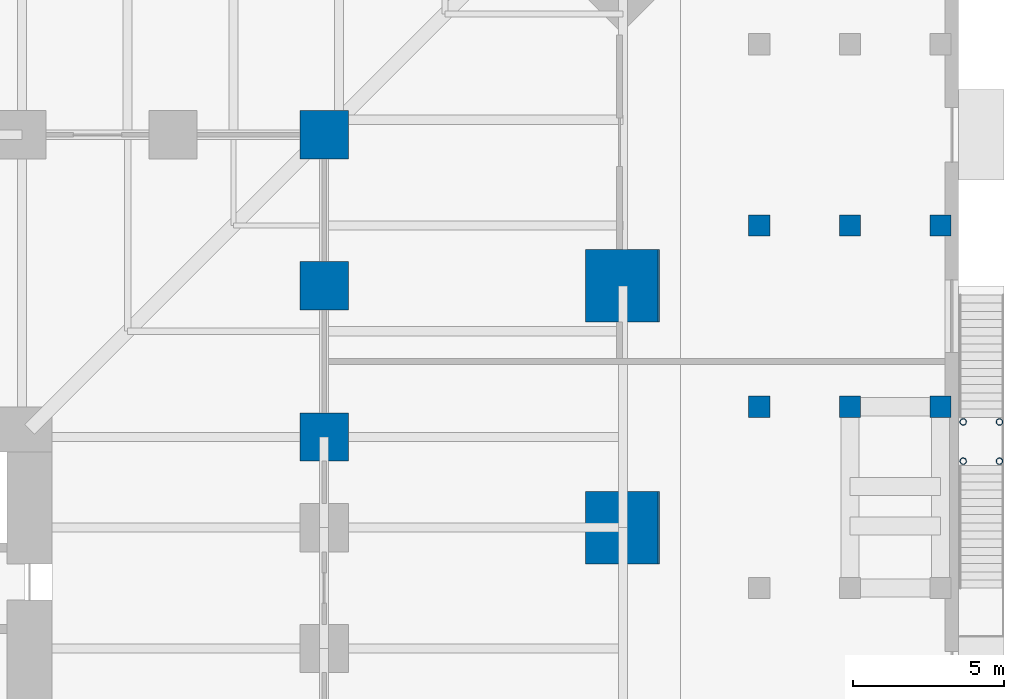
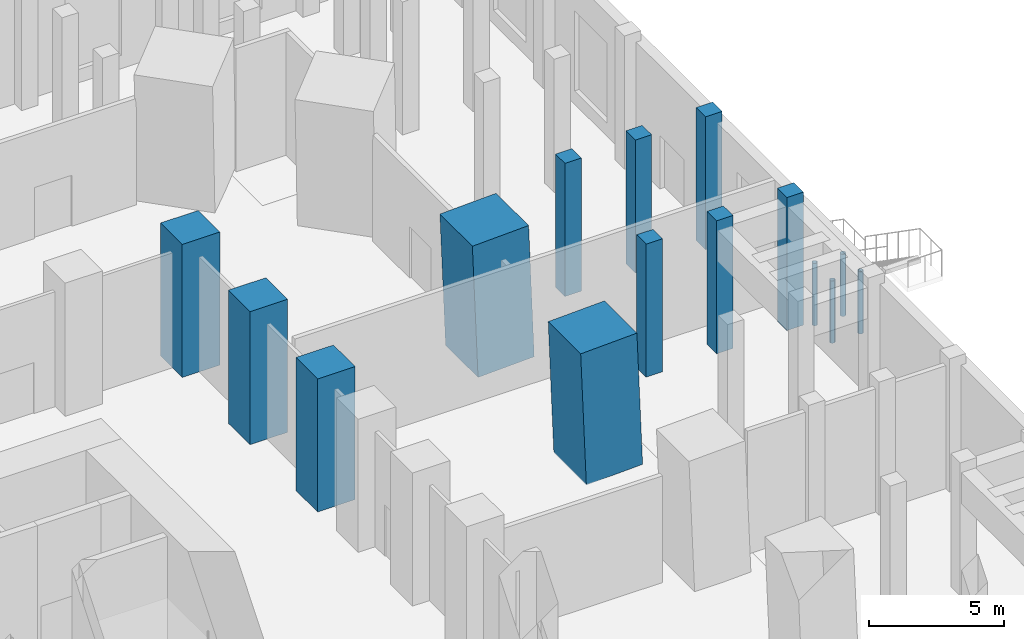
# One storey, part 7 of 20: 15 columns.
"""IFC4 building model written with IfcOpenShell, lengths in metres."""

from ifc_helpers import new_model, si_unit, direction, frame, origin, origin_2d, place, context, subcontext, project, spatial, rectangle, hollow_circle, extrude, material, material_profile, profile_set, type_object, element, save


model = new_model("IFC4")

# Units and contexts
model_context = context("Model", 3, precision=1e-05, world=origin(), true_north=direction((0.0, 1.0)))
body_context = subcontext(model_context, "Body", "Model", "MODEL_VIEW")
ifc_project = project(units=[si_unit("LENGTHUNIT", "METRE"), si_unit("AREAUNIT", "SQUARE_METRE"), si_unit("VOLUMEUNIT", "CUBIC_METRE"), si_unit("PLANEANGLEUNIT", "RADIAN"), si_unit("MASSUNIT", "GRAM", prefix="KILO")], contexts=[model_context])

# Site, building, storey
site_placement = place(None, origin())
site = spatial("IfcSite", under=ifc_project, at=site_placement, CompositionType="ELEMENT")
building_placement = place(site_placement, origin())
building = spatial("IfcBuilding", under=site, at=building_placement, Name="Peilmerk Tower", CompositionType="ELEMENT")
storey_placement = place(building_placement, origin())
storey = spatial("IfcBuildingStorey", under=building, at=storey_placement, Name="L00", CompositionType="ELEMENT", Elevation=0.0)

# Columns
ifc_material_1 = material(Name="Concrete C55/67", Category="concrete")
ifc_material_profile_1 = material_profile(ifc_material_1, rectangle(XDim=0.699951171875, YDim=0.699951171875, at=origin_2d()), Name="RC 700x700")
ifc_profile_set_1 = profile_set([ifc_material_profile_1], Name="Concrete C55/67")
column_type_1 = type_object("IfcColumnType", Name="PC1 700x700 podium column", PredefinedType="COLUMN", material=ifc_profile_set_1)
for number, where, z_axis, x_axis, name in (
    (1, (35.39990234375, 12.0, 0.0), (0.0, 0.0, 1.0), (1.0, 0.0, 0.0), "Podium column ring A L00"),
    (2, (35.39990234375, 18.0, 0.0), (0.0, 0.0, 1.0), (1.0, 0.0, 0.0), "Podium column ring A L00"),
    (3, (38.39990234375, 12.0, 0.0), (0.0, 0.0, 1.0), (1.0, 0.0, 0.0), "Podium column ring B L00"),
    (4, (38.39990234375, 18.0, 0.0), (0.0, 0.0, 1.0), (1.0, 0.0, 0.0), "Podium column ring B L00"),
    (5, (41.39990234375, 12.0, 0.0), (0.0, 0.0, 1.0), (1.0, 0.0, 0.0), "Podium column ring C L00"),
    (6, (41.39990234375, 18.0, 0.0), (0.0, 0.0, 1.0), (1.0, 0.0, 0.0), "Podium column ring C L00"),
):
    element("IfcColumn", number, at=place(storey_placement, frame(where, z_axis=z_axis, x_axis=x_axis)), inside=storey, type_object=column_type_1, Name=name, PredefinedType="COLUMN", context=body_context, shape_type="SweptSolid", body=[
        extrude(rectangle(XDim=0.699951171875, YDim=0.699951171875, at=origin_2d()), origin(), (0.0, 0.0, 1.0), 6.0),
    ])
ifc_material_2 = material(Name="Concrete C90/105", Category="concrete")
ifc_material_profile_2 = material_profile(ifc_material_2, rectangle(XDim=2.39990234375, YDim=2.39990234375, at=origin_2d()), Name="RC 2400x2400")
ifc_profile_set_2 = profile_set([ifc_material_profile_2], Name="Concrete C90/105")
column_type_2 = type_object("IfcColumnType", Name="SC1 2400x2400 encased perimeter column", PredefinedType="COLUMN", material=ifc_profile_set_2)
for number, where, z_axis, x_axis, name in (
    (7, (30.896728515625, 8.0, 0.0), (-0.0402911495, 0.0, 0.999187981949), (0.0, -1.0, 0.0), "Perimeter column E+8 L00"),
    (8, (30.896728515625, 16.0, 0.0), (-0.0402911495, 0.0, 0.999187981949), (0.0, -1.0, 0.0), "Perimeter column E+16 L00"),
):
    element("IfcColumn", number, at=place(storey_placement, frame(where, z_axis=z_axis, x_axis=x_axis)), inside=storey, type_object=column_type_2, Name=name, PredefinedType="COLUMN", context=body_context, shape_type="SweptSolid", body=[
        extrude(rectangle(XDim=2.39990234375, YDim=2.39990234375, at=origin_2d()), origin(), (0.0, 0.0, 1.0), 6.0048828125),
    ])
ifc_material_3 = material(Name="Steel S355", Category="steel")
ifc_material_profile_3 = material_profile(ifc_material_3, hollow_circle(Radius=0.109619140625, WallThickness=0.012451171875, at=origin_2d()), Name="CHS 219.1x12.5")
ifc_profile_set_3 = profile_set([ifc_material_profile_3], Name="Steel S355")
column_type_3 = type_object("IfcColumnType", Name="SC12 CHS 219.1x12.5 external stair post", PredefinedType="COLUMN", material=ifc_profile_set_3)
for number, where, z_axis, x_axis, name in (
    (9, (42.14990234375, 10.199951171875, 0.0), (0.0, 0.0, 1.0), (1.0, 0.0, 0.0), "External stair 3 post L00"),
    (10, (43.35009765625, 10.199951171875, 0.0), (0.0, 0.0, 1.0), (1.0, 0.0, 0.0), "External stair 3 post L00"),
    (11, (42.14990234375, 11.5, 0.0), (0.0, 0.0, 1.0), (1.0, 0.0, 0.0), "External stair 3 post L00"),
    (12, (43.35009765625, 11.5, 0.0), (0.0, 0.0, 1.0), (1.0, 0.0, 0.0), "External stair 3 post L00"),
):
    element("IfcColumn", number, at=place(storey_placement, frame(where, z_axis=z_axis, x_axis=x_axis)), inside=storey, type_object=column_type_3, Name=name, PredefinedType="COLUMN", context=body_context, shape_type="SweptSolid", body=[
        extrude(hollow_circle(Radius=0.109619140625, WallThickness=0.012451171875, at=origin_2d()), origin(), (0.0, 0.0, 1.0), 2.800048828125),
    ])
ifc_material_profile_4 = material_profile(ifc_material_2, rectangle(XDim=1.60009765625, YDim=1.60009765625, at=origin_2d()), Name="RC 1600x1600")
ifc_profile_set_4 = profile_set([ifc_material_profile_4], Name="Concrete C90/105")
column_type_4 = type_object("IfcColumnType", Name="SC2 1600x1600 encased interior column", PredefinedType="COLUMN", material=ifc_profile_set_4)
for number, where, z_axis, x_axis, name in (
    (13, (21.0, 11.0, 0.0), (0.0, 0.0, 1.0), (1.0, 0.0, 0.0), "Interior column E+11 L00"),
    (14, (21.0, 16.0, 0.0), (0.0, 0.0, 1.0), (1.0, 0.0, 0.0), "Interior column E+16 L00"),
    (15, (21.0, 21.0, 0.0), (0.0, 0.0, 1.0), (1.0, 0.0, 0.0), "Interior column NE L00"),
):
    element("IfcColumn", number, at=place(storey_placement, frame(where, z_axis=z_axis, x_axis=x_axis)), inside=storey, type_object=column_type_4, Name=name, PredefinedType="COLUMN", context=body_context, shape_type="SweptSolid", body=[
        extrude(rectangle(XDim=1.60009765625, YDim=1.60009765625, at=origin_2d()), origin(), (0.0, 0.0, 1.0), 6.0),
    ])

save(model, "model.ifc")
